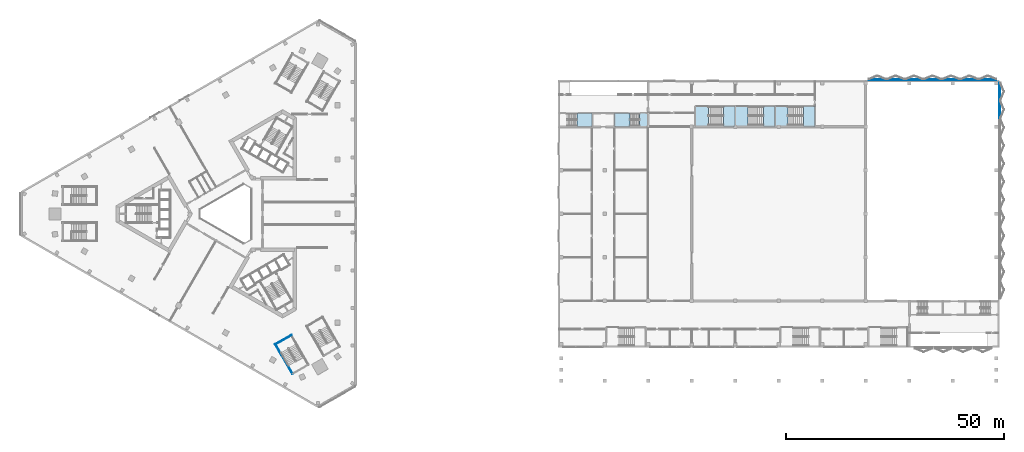
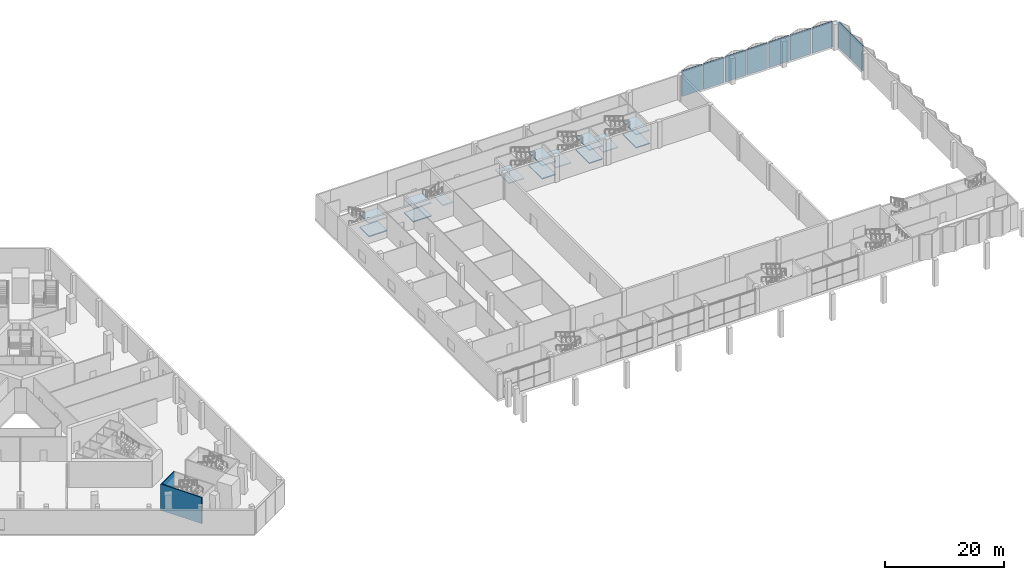
# One storey, part 6 of 35: 14 slabs, 9 plates, 2 walls, 5 elements without a shape of their own.
"""IFC4 building model written with IfcOpenShell, lengths in metres."""

import ifcopenshell
import ifcopenshell.guid

model = None  # the IFC model being written
_history = None  # IfcOwnerHistory: only IFC2X3 demands one
_inside = {}  # id of a spatial element -> (the spatial element, [elements in it])
_under = {}  # id of a project, library or spatial element -> (it, [spatial elements below it])
_declared = {}  # id of a project -> (the project, [libraries it declares])
_typed = {}  # id of a type object -> (the type object, [elements of that type])
_made_of = {}  # id of a material, layer set ... -> (it, [elements and type objects made of it])


def new_model(schema):
    """Start an empty IFC model of exactly this schema.

    Asked for "IFC4X3", IfcOpenShell would pick the latest addendum, in which some entities
    have other attributes; the version numbers below select the first issue.
    IFC2X3 requires an IfcOwnerHistory on every rooted entity: one is made here for all.
    """
    global model, _history
    if schema == "IFC4X3":
        model = ifcopenshell.file(schema_version=(4, 3, 0, 0))
    else:
        model = ifcopenshell.file(schema=schema)
    _inside.clear()
    _under.clear()
    _declared.clear()
    _typed.clear()
    _made_of.clear()
    _history = None
    if model.schema == "IFC2X3":
        org = make("IfcOrganization", Name="unknown")
        user = make(
            "IfcPersonAndOrganization",
            ThePerson=make("IfcPerson", FamilyName="unknown"),
            TheOrganization=org,
        )
        app = make(
            "IfcApplication",
            ApplicationDeveloper=org,
            Version="unknown",
            ApplicationFullName="unknown",
            ApplicationIdentifier="unknown",
        )
        _history = make(
            "IfcOwnerHistory",
            OwningUser=user,
            OwningApplication=app,
            ChangeAction="ADDED",
            CreationDate=0,
        )
    return model


def make(cls, **values):
    """One entity of the class cls with the attributes given. An attribute that is None is left unset."""
    return model.create_entity(
        cls, **{name: value for name, value in values.items() if value is not None}
    )


def rooted(cls, **values):
    """An entity with a GlobalId (a new one), such as an element, a storey or a relation."""
    return make(cls, GlobalId=ifcopenshell.guid.new(), OwnerHistory=_history, **values)


def si_unit(unit_type, name, prefix=None):
    """IfcSIUnit, for example si_unit("LENGTHUNIT", "METRE", prefix="MILLI")."""
    return make("IfcSIUnit", UnitType=unit_type, Prefix=prefix, Name=name)


def assignment(units):
    """IfcUnitAssignment: the units of a project."""
    return None if units is None else make("IfcUnitAssignment", Units=units)


def point(xyz):
    """IfcCartesianPoint."""
    return None if xyz is None else make("IfcCartesianPoint", Coordinates=xyz)


def direction(xyz):
    """IfcDirection."""
    return None if xyz is None else make("IfcDirection", DirectionRatios=xyz)


def frame(location, z_axis=None, x_axis=None):
    """IfcAxis2Placement3D, a coordinate frame: its origin and axes. An axis left out is left unset."""
    return make(
        "IfcAxis2Placement3D",
        Location=point(location),
        Axis=direction(z_axis),
        RefDirection=direction(x_axis),
    )


def frame_2d(location, x_axis=None):
    """IfcAxis2Placement2D, a coordinate frame in the plane: its origin and x axis."""
    return make(
        "IfcAxis2Placement2D", Location=point(location), RefDirection=direction(x_axis)
    )


def origin():
    """The frame at (0, 0, 0) with its axes left unset."""
    return frame((0.0, 0.0, 0.0))


def origin_2d():
    """The frame at (0, 0) in the plane with its x axis left unset."""
    return frame_2d((0.0, 0.0))


def place(relative_to, where):
    """IfcLocalPlacement: puts the frame where relative to a parent placement (None: the world)."""
    return make(
        "IfcLocalPlacement", PlacementRelTo=relative_to, RelativePlacement=where
    )


def context(
    kind, dimensions, precision=None, world=None, true_north=None, identifier=None
):
    """IfcGeometricRepresentationContext, for example the 3D "Model" context."""
    return make(
        "IfcGeometricRepresentationContext",
        ContextIdentifier=identifier,
        ContextType=kind,
        CoordinateSpaceDimension=dimensions,
        Precision=precision,
        WorldCoordinateSystem=world,
        TrueNorth=true_north,
    )


def subcontext(parent, identifier, kind, view, scale=None):
    """IfcGeometricRepresentationSubContext, for example "Body" below "Model"."""
    return make(
        "IfcGeometricRepresentationSubContext",
        ContextIdentifier=identifier,
        ContextType=kind,
        ParentContext=parent,
        TargetScale=scale,
        TargetView=view,
    )


def project(units=None, contexts=None):
    """IfcProject with its units and contexts."""
    return rooted(
        "IfcProject",
        Name="project",
        RepresentationContexts=contexts,
        UnitsInContext=assignment(units),
    )


def spatial(cls, under=None, at=None, **own):
    """A site, building, storey or space (cls), placed at a placement, below another one or the project."""
    s = rooted(cls, ObjectPlacement=at, **own)
    if under is not None:
        _under.setdefault(under.id(), (under, []))[1].append(s)
    return s


def polyline(points):
    """IfcPolyline through the points."""
    return make("IfcPolyline", Points=[point(p) for p in points])


def profile(cls, at=None, kind="AREA", **sizes):
    """A parametric profile (cls). Its sizes go by their IFC names, for example OverallWidth=200.0."""
    return make(cls, ProfileType=kind, Position=at, **sizes)


def rectangle(**sizes):
    """IfcRectangleProfileDef."""
    return profile("IfcRectangleProfileDef", **sizes)


def outline(outer, holes=None, kind="AREA"):
    """IfcArbitraryClosedProfileDef: a profile drawn as a closed curve; with holes, ...WithVoids."""
    if holes is None:
        return make("IfcArbitraryClosedProfileDef", ProfileType=kind, OuterCurve=outer)
    return make(
        "IfcArbitraryProfileDefWithVoids",
        ProfileType=kind,
        OuterCurve=outer,
        InnerCurves=holes,
    )


def extrude(swept, where, along, depth):
    """IfcExtrudedAreaSolid: the profile swept, set in the frame where, extruded along a direction by depth."""
    return make(
        "IfcExtrudedAreaSolid",
        SweptArea=swept,
        Position=where,
        ExtrudedDirection=direction(along),
        Depth=depth,
    )


def shape(context_of_items, identifier, shape_type, items):
    """IfcShapeRepresentation: the items that make up one representation, for example the "Body"."""
    return make(
        "IfcShapeRepresentation",
        ContextOfItems=context_of_items,
        RepresentationIdentifier=identifier,
        RepresentationType=shape_type,
        Items=items,
    )


def material(Name=None, Category=None):
    """IfcMaterial."""
    return make("IfcMaterial", Name=Name, Category=Category)


def layer(
    of_material, thickness, ventilated=None, Name=None, Category=None, Priority=None
):
    """IfcMaterialLayer: one layer of a wall or slab, of a material (None: an air gap)."""
    return make(
        "IfcMaterialLayer",
        Material=of_material,
        LayerThickness=thickness,
        IsVentilated=ventilated,
        Name=Name,
        Category=Category,
        Priority=Priority,
    )


def layer_set(layers, Name=None):
    """IfcMaterialLayerSet."""
    return make("IfcMaterialLayerSet", MaterialLayers=layers, LayerSetName=Name)


def made_of(thing, what):
    """Note that an element or type object is made of a material, layer set ...; save() writes the relation."""
    if what is not None:
        _made_of.setdefault(what.id(), (what, []))[1].append(thing)
    return thing


def type_object(cls, material=None, **own):
    """A type object (cls), such as IfcWallType, which elements share."""
    return made_of(rooted(cls, **own), material)


def element(
    cls,
    number,
    at=None,
    inside=None,
    cuts=None,
    type_object=None,
    material=None,
    context=None,
    identifier="Body",
    shape_type=None,
    held_by="IfcProductDefinitionShape",
    body=None,
    shapes=None,
    **own,
):
    """One element of the class cls, such as IfcWall. Its Tag is "e" and its number.

    at: its placement. inside: the storey or other place that contains it. cuts: it is an
    opening in that element (IfcRelVoidsElement). A single representation is given by context,
    identifier, shape_type and body (its items); several are given by shapes. held_by: the class
    of the entity that holds the representations. save() writes the other relations.
    """
    e = rooted(cls, Tag="e%d" % number, ObjectPlacement=at, **own)
    if body is not None:
        shapes = [shape(context, identifier, shape_type, body)]
    if shapes is not None:
        e.Representation = make(held_by, Representations=shapes)
    if inside is not None:
        _inside.setdefault(inside.id(), (inside, []))[1].append(e)
    if cuts is not None:
        rooted(
            "IfcRelVoidsElement", RelatingBuildingElement=cuts, RelatedOpeningElement=e
        )
    if type_object is not None:
        _typed.setdefault(type_object.id(), (type_object, []))[1].append(e)
    return made_of(e, material)


def aggregate(whole, parts):
    """IfcRelAggregates: a whole, such as a stair, and the parts it consists of."""
    return rooted("IfcRelAggregates", RelatingObject=whole, RelatedObjects=parts)


def save(model, path):
    """Write the relations noted so far, then the file.

    IfcRelAggregates (storeys below a building ...), IfcRelContainedInSpatialStructure (elements
    in a storey), IfcRelDefinesByType, IfcRelAssociatesMaterial and IfcRelDeclares: one each for
    every whole, place, type object, material and project.
    """
    for whole, parts in _under.values():
        aggregate(whole, parts)
    for where, things in _inside.values():
        rooted(
            "IfcRelContainedInSpatialStructure",
            RelatedElements=things,
            RelatingStructure=where,
        )
    for kind, things in _typed.values():
        rooted("IfcRelDefinesByType", RelatedObjects=things, RelatingType=kind)
    for what, things in _made_of.values():
        rooted("IfcRelAssociatesMaterial", RelatedObjects=things, RelatingMaterial=what)
    for by, libraries in _declared.values():
        rooted("IfcRelDeclares", RelatingContext=by, RelatedDefinitions=libraries)
    model.write(path)


model = new_model("IFC4")

# Units and contexts
model_context = context("Model", 3, precision=1e-05, world=origin(), true_north=direction((0.0, 1.0)))
body_context = subcontext(model_context, "Body", "Model", "MODEL_VIEW")
ifc_project = project(units=[si_unit("LENGTHUNIT", "METRE"), si_unit("AREAUNIT", "SQUARE_METRE"), si_unit("VOLUMEUNIT", "CUBIC_METRE"), si_unit("PLANEANGLEUNIT", "RADIAN"), si_unit("MASSUNIT", "GRAM", prefix="KILO")], contexts=[model_context])

# Site, building, storey
site_placement = place(None, origin())
site = spatial("IfcSite", under=ifc_project, at=site_placement, CompositionType="ELEMENT")
building_placement = place(site_placement, origin())
building = spatial("IfcBuilding", under=site, at=building_placement, Name="Jabali Bay Hotel Tower and Convention Centre", CompositionType="ELEMENT")
storey_placement = place(building_placement, frame((0.0, 0.0, 15.0)))
storey = spatial("IfcBuildingStorey", under=building, at=storey_placement, Name="L02", CompositionType="ELEMENT", Elevation=15.0)

# Plates
ifc_material_1 = material(Name="Precast concrete C40/50", Category="concrete")
ifc_layer_1 = layer(ifc_material_1, 0.199951171875)
ifc_layer_set_1 = layer_set([ifc_layer_1], Name="Precast concrete C40/50")
plate_type = type_object("IfcPlateType", Name="CC Pierced precast screen 4000 x 5200", PredefinedType="USERDEFINED", material=ifc_layer_set_1)
for number, where, z_axis, x_axis, name in (
    (1, (251.5, 103.96533203125, 0.10009765625), (0.0, 0.0, 1.0), (1.0, 0.0, 0.0), "CC pierced screen E02.11"),
    (2, (251.5, 108.107666015625, 0.10009765625), (0.0, 0.0, 1.0), (1.0, 0.0, 0.0), "CC pierced screen E02.12"),
):
    element("IfcPlate", number, at=place(storey_placement, frame(where, z_axis=z_axis, x_axis=x_axis)), inside=storey, type_object=plate_type, Name=name, ObjectType="SCREEN", PredefinedType="USERDEFINED", context=body_context, shape_type="SweptSolid", body=[
        extrude(rectangle(XDim=0.199951171875, YDim=4.0, at=origin_2d()), origin(), (0.0, 0.0, 1.0), 5.199951171875),
    ])
for number, where, z_axis, x_axis, name in (
    (3, (223.331298828125, 110.800048828125, 0.10009765625), (0.0, 0.0, 1.0), (1.0, 0.0, 0.0), "CC pierced screen N02.1"),
    (4, (227.5625, 110.800048828125, 0.10009765625), (0.0, 0.0, 1.0), (1.0, 0.0, 0.0), "CC pierced screen N02.2"),
    (5, (231.793701171875, 110.800048828125, 0.10009765625), (0.0, 0.0, 1.0), (1.0, 0.0, 0.0), "CC pierced screen N02.3"),
    (6, (236.02490234375, 110.800048828125, 0.10009765625), (0.0, 0.0, 1.0), (1.0, 0.0, 0.0), "CC pierced screen N02.4"),
    (7, (240.25634765625, 110.800048828125, 0.10009765625), (0.0, 0.0, 1.0), (1.0, 0.0, 0.0), "CC pierced screen N02.5"),
    (8, (244.487548828125, 110.800048828125, 0.10009765625), (0.0, 0.0, 1.0), (1.0, 0.0, 0.0), "CC pierced screen N02.6"),
    (9, (248.71875, 110.800048828125, 0.10009765625), (0.0, 0.0, 1.0), (1.0, 0.0, 0.0), "CC pierced screen N02.7"),
):
    element("IfcPlate", number, at=place(storey_placement, frame(where, z_axis=z_axis, x_axis=x_axis)), inside=storey, type_object=plate_type, Name=name, ObjectType="SCREEN", PredefinedType="USERDEFINED", context=body_context, shape_type="SweptSolid", body=[
        extrude(rectangle(XDim=4.0, YDim=0.199951171875, at=origin_2d()), origin(), (0.0, 0.0, 1.0), 5.199951171875),
    ])

# Stair, slabs
ifc_material_2 = material(Name="Concrete C40", Category="concrete")
stair_type = type_object("IfcStairType", Name="CC Dogleg Stair 1350", PredefinedType="HALF_TURN_STAIR", material=ifc_material_2)
stair_1_placement = place(storey_placement, origin())
stair_1 = element("IfcStair", 10, at=stair_1_placement, inside=storey, type_object=stair_type, Name="L02 West stair A", PredefinedType="HALF_TURN_STAIR")
ifc_layer_2 = layer(ifc_material_2, 0.199951171875)
ifc_layer_set_2 = layer_set([ifc_layer_2], Name="Concrete C40")
slab_type = type_object("IfcSlabType", Name="CC Stair Landing 200", PredefinedType="LANDING", material=ifc_layer_set_2)
slab_1_placement = place(storey_placement, frame((0.0, 0.0, 1.14990234375)))
slab_1 = element("IfcSlab", 11, at=slab_1_placement, type_object=slab_type, Name="CC-STWA landing 1", PredefinedType="LANDING", context=body_context, shape_type="SweptSolid", body=[
    extrude(outline(polyline([(154.3369140625, 100.02490234375), (157.85009765625, 100.02490234375), (157.85009765625, 103.175048828125), (154.3369140625, 103.175048828125), (154.3369140625, 100.02490234375)])), origin(), (0.0, 0.0, 1.0), 0.2001953125),
])
slab_2_placement = place(storey_placement, frame((0.0, 0.0, 3.85009765625)))
slab_2 = element("IfcSlab", 12, at=slab_2_placement, type_object=slab_type, Name="CC-STWA landing 3", PredefinedType="LANDING", context=body_context, shape_type="SweptSolid", body=[
    extrude(outline(polyline([(154.3369140625, 100.02490234375), (157.85009765625, 100.02490234375), (157.85009765625, 103.175048828125), (154.3369140625, 103.175048828125), (154.3369140625, 100.02490234375)])), origin(), (0.0, 0.0, 1.0), 0.199951171875),
])
aggregate(stair_1, [slab_1, slab_2])

stair_2_placement = place(storey_placement, origin())
stair_2 = element("IfcStair", 13, at=stair_2_placement, inside=storey, type_object=stair_type, Name="L02 West stair B", PredefinedType="HALF_TURN_STAIR")
slab_3_placement = place(storey_placement, frame((0.0, 0.0, 1.14990234375)))
slab_3 = element("IfcSlab", 14, at=slab_3_placement, type_object=slab_type, Name="CC-STWB landing 1", PredefinedType="LANDING", context=body_context, shape_type="SweptSolid", body=[
    extrude(outline(polyline([(162.97509765625, 100.02490234375), (166.488037109375, 100.02490234375), (166.488037109375, 103.175048828125), (162.97509765625, 103.175048828125), (162.97509765625, 100.02490234375)])), origin(), (0.0, 0.0, 1.0), 0.2001953125),
])
slab_4_placement = place(storey_placement, frame((0.0, 0.0, 2.5)))
slab_4 = element("IfcSlab", 15, at=slab_4_placement, type_object=slab_type, Name="CC-STWB landing 2", PredefinedType="LANDING", context=body_context, shape_type="SweptSolid", body=[
    extrude(outline(polyline([(168.721923828125, 100.02490234375), (170.675048828125, 100.02490234375), (170.675048828125, 103.175048828125), (168.721923828125, 103.175048828125), (168.721923828125, 100.02490234375)])), origin(), (0.0, 0.0, 1.0), 0.199951171875),
])
slab_5_placement = place(storey_placement, frame((0.0, 0.0, 3.85009765625)))
slab_5 = element("IfcSlab", 16, at=slab_5_placement, type_object=slab_type, Name="CC-STWB landing 3", PredefinedType="LANDING", context=body_context, shape_type="SweptSolid", body=[
    extrude(outline(polyline([(162.97509765625, 100.02490234375), (166.488037109375, 100.02490234375), (166.488037109375, 103.175048828125), (162.97509765625, 103.175048828125), (162.97509765625, 100.02490234375)])), origin(), (0.0, 0.0, 1.0), 0.199951171875),
])
aggregate(stair_2, [slab_3, slab_4, slab_5])

stair_3_placement = place(storey_placement, origin())
stair_3 = element("IfcStair", 17, at=stair_3_placement, inside=storey, type_object=stair_type, Name="L02 North Exit Stair 1", PredefinedType="HALF_TURN_STAIR")
slab_6_placement = place(storey_placement, frame((0.0, 0.0, 1.14990234375)))
slab_6 = element("IfcSlab", 18, at=slab_6_placement, type_object=slab_type, Name="CC-STN1 landing 1", PredefinedType="LANDING", context=body_context, shape_type="SweptSolid", body=[
    extrude(outline(polyline([(188.0419921875, 100.10009765625), (190.675048828125, 100.10009765625), (190.675048828125, 104.699951171875), (188.0419921875, 104.699951171875), (188.0419921875, 100.10009765625)])), origin(), (0.0, 0.0, 1.0), 0.2001953125),
])
slab_7_placement = place(storey_placement, frame((0.0, 0.0, 2.5)))
slab_7 = element("IfcSlab", 19, at=slab_7_placement, type_object=slab_type, Name="CC-STN1 landing 2", PredefinedType="LANDING", context=body_context, shape_type="SweptSolid", body=[
    extrude(outline(polyline([(181.574951171875, 100.10009765625), (184.528076171875, 100.10009765625), (184.528076171875, 104.699951171875), (181.574951171875, 104.699951171875), (181.574951171875, 100.10009765625)])), origin(), (0.0, 0.0, 1.0), 0.199951171875),
])
slab_8_placement = place(storey_placement, frame((0.0, 0.0, 3.85009765625)))
slab_8 = element("IfcSlab", 20, at=slab_8_placement, type_object=slab_type, Name="CC-STN1 landing 3", PredefinedType="LANDING", context=body_context, shape_type="SweptSolid", body=[
    extrude(outline(polyline([(188.0419921875, 100.10009765625), (190.675048828125, 100.10009765625), (190.675048828125, 104.699951171875), (188.0419921875, 104.699951171875), (188.0419921875, 100.10009765625)])), origin(), (0.0, 0.0, 1.0), 0.199951171875),
])
aggregate(stair_3, [slab_6, slab_7, slab_8])

stair_4_placement = place(storey_placement, origin())
stair_4 = element("IfcStair", 21, at=stair_4_placement, inside=storey, type_object=stair_type, Name="L02 North Exit Stair 2", PredefinedType="HALF_TURN_STAIR")
slab_9_placement = place(storey_placement, frame((0.0, 0.0, 1.14990234375)))
slab_9 = element("IfcSlab", 22, at=slab_9_placement, type_object=slab_type, Name="CC-STN2 landing 1", PredefinedType="LANDING", context=body_context, shape_type="SweptSolid", body=[
    extrude(outline(polyline([(197.19189453125, 100.10009765625), (199.824951171875, 100.10009765625), (199.824951171875, 104.699951171875), (197.19189453125, 104.699951171875), (197.19189453125, 100.10009765625)])), origin(), (0.0, 0.0, 1.0), 0.2001953125),
])
slab_10_placement = place(storey_placement, frame((0.0, 0.0, 2.5)))
slab_10 = element("IfcSlab", 23, at=slab_10_placement, type_object=slab_type, Name="CC-STN2 landing 2", PredefinedType="LANDING", context=body_context, shape_type="SweptSolid", body=[
    extrude(outline(polyline([(190.72509765625, 100.10009765625), (193.677978515625, 100.10009765625), (193.677978515625, 104.699951171875), (190.72509765625, 104.699951171875), (190.72509765625, 100.10009765625)])), origin(), (0.0, 0.0, 1.0), 0.199951171875),
])
slab_11_placement = place(storey_placement, frame((0.0, 0.0, 3.85009765625)))
slab_11 = element("IfcSlab", 24, at=slab_11_placement, type_object=slab_type, Name="CC-STN2 landing 3", PredefinedType="LANDING", context=body_context, shape_type="SweptSolid", body=[
    extrude(outline(polyline([(197.19189453125, 100.10009765625), (199.824951171875, 100.10009765625), (199.824951171875, 104.699951171875), (197.19189453125, 104.699951171875), (197.19189453125, 100.10009765625)])), origin(), (0.0, 0.0, 1.0), 0.199951171875),
])
aggregate(stair_4, [slab_9, slab_10, slab_11])

stair_5_placement = place(storey_placement, origin())
stair_5 = element("IfcStair", 25, at=stair_5_placement, inside=storey, type_object=stair_type, Name="L02 North Exit Stair 3", PredefinedType="HALF_TURN_STAIR")
slab_12_placement = place(storey_placement, frame((0.0, 0.0, 1.14990234375)))
slab_12 = element("IfcSlab", 26, at=slab_12_placement, type_object=slab_type, Name="CC-STN3 landing 1", PredefinedType="LANDING", context=body_context, shape_type="SweptSolid", body=[
    extrude(outline(polyline([(206.342041015625, 100.10009765625), (208.97509765625, 100.10009765625), (208.97509765625, 104.699951171875), (206.342041015625, 104.699951171875), (206.342041015625, 100.10009765625)])), origin(), (0.0, 0.0, 1.0), 0.2001953125),
])
slab_13_placement = place(storey_placement, frame((0.0, 0.0, 2.5)))
slab_13 = element("IfcSlab", 27, at=slab_13_placement, type_object=slab_type, Name="CC-STN3 landing 2", PredefinedType="LANDING", context=body_context, shape_type="SweptSolid", body=[
    extrude(outline(polyline([(199.875, 100.10009765625), (202.827880859375, 100.10009765625), (202.827880859375, 104.699951171875), (199.875, 104.699951171875), (199.875, 100.10009765625)])), origin(), (0.0, 0.0, 1.0), 0.199951171875),
])
slab_14_placement = place(storey_placement, frame((0.0, 0.0, 3.85009765625)))
slab_14 = element("IfcSlab", 28, at=slab_14_placement, type_object=slab_type, Name="CC-STN3 landing 3", PredefinedType="LANDING", context=body_context, shape_type="SweptSolid", body=[
    extrude(outline(polyline([(206.342041015625, 100.10009765625), (208.97509765625, 100.10009765625), (208.97509765625, 104.699951171875), (206.342041015625, 104.699951171875), (206.342041015625, 100.10009765625)])), origin(), (0.0, 0.0, 1.0), 0.199951171875),
])
aggregate(stair_5, [slab_12, slab_13, slab_14])

# Walls
ifc_layer_3 = layer(ifc_material_2, 0.199951171875)
ifc_layer_set_3 = layer_set([ifc_layer_3], Name="Concrete C40")
wall_type = type_object("IfcWallType", Name="Podium stair enclosure wall 200", PredefinedType="SOLIDWALL", material=ifc_layer_set_3)
wall_1_placement = place(storey_placement, frame((88.811279296875, 52.17822265625, -0.39990234375), z_axis=(0.0, 0.0, 1.0), x_axis=(-0.866032203192, -0.499988222896, 0.0)))
element("IfcWall", 29, at=wall_1_placement, inside=storey, type_object=wall_type, Name="Podium stair wall 6.3 L02", PredefinedType="SOLIDWALL", context=body_context, shape_type="SweptSolid", body=[
    extrude(rectangle(XDim=4.39990234375, YDim=0.199951171875, at=frame_2d((2.199951171875, 0.0))), origin(), (0.0, 0.0, 1.0), 5.39990234375),
])
wall_2_placement = place(storey_placement, frame((85.037353515625, 50.11474609375, -0.39990234375), z_axis=(0.0, 0.0, 1.0), x_axis=(0.49999894854, -0.866026010844, 0.0)))
element("IfcWall", 30, at=wall_2_placement, inside=storey, type_object=wall_type, Name="Podium stair wall 6.4 L02", PredefinedType="SOLIDWALL", context=body_context, shape_type="SweptSolid", body=[
    extrude(rectangle(XDim=8.0, YDim=0.199951171875, at=frame_2d((4.0, 0.0))), origin(), (0.0, 0.0, 1.0), 5.39990234375),
])

save(model, "model.ifc")
